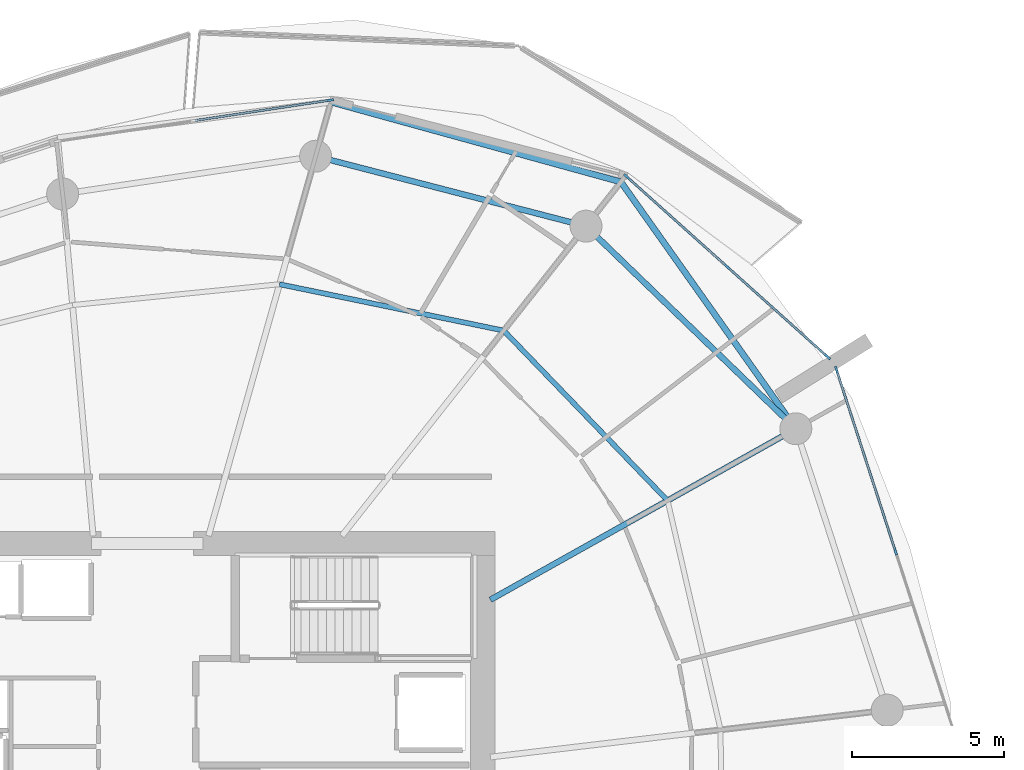
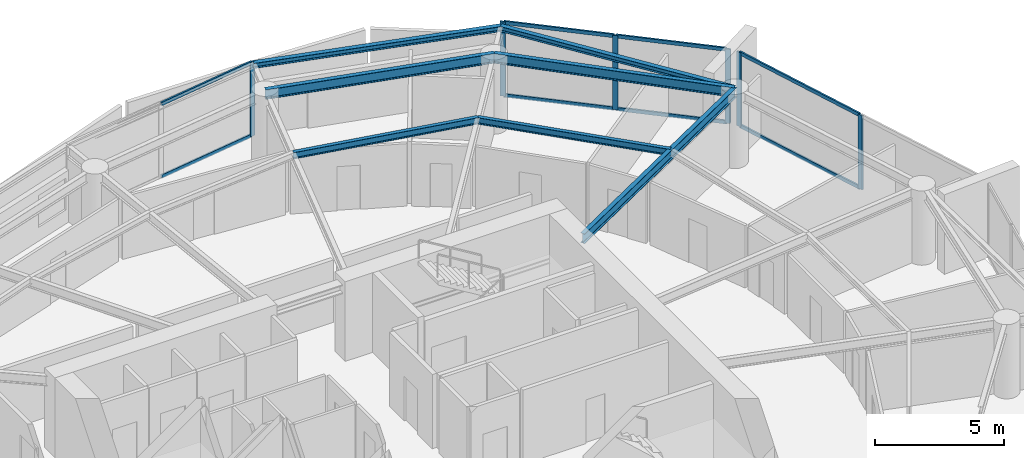
# One storey, part 9 of 20: 14 members, 7 beams, 3 elements without a shape of their own.
"""IFC4 building model written with IfcOpenShell, lengths in metres."""

from ifc_helpers import new_model, si_unit, direction, frame, origin, origin_2d, place, context, subcontext, project, spatial, rectangle, i_section, extrude, material, layer, layer_set, material_profile, profile_set, type_object, element, aggregate, save


model = new_model("IFC4")

# Units and contexts
model_context = context("Model", 3, precision=1e-05, world=origin(), true_north=direction((0.0, 1.0)))
body_context = subcontext(model_context, "Body", "Model", "MODEL_VIEW")
ifc_project = project(units=[si_unit("LENGTHUNIT", "METRE"), si_unit("AREAUNIT", "SQUARE_METRE"), si_unit("VOLUMEUNIT", "CUBIC_METRE"), si_unit("PLANEANGLEUNIT", "RADIAN"), si_unit("MASSUNIT", "GRAM", prefix="KILO")], contexts=[model_context])

# Site, building, storey
site_placement = place(None, origin())
site = spatial("IfcSite", under=ifc_project, at=site_placement, CompositionType="ELEMENT")
building_placement = place(site_placement, origin())
building = spatial("IfcBuilding", under=site, at=building_placement, Name="Kazma Halo Residences", CompositionType="ELEMENT")
storey_placement = place(building_placement, frame((0.0, 0.0, 131.550048828125)))
storey = spatial("IfcBuildingStorey", under=building, at=storey_placement, Name="L32", CompositionType="ELEMENT", Elevation=131.550048828125)

# Beams
ifc_material_1 = material(Name="Steel S355", Category="steel")
ifc_material_profile_1 = material_profile(ifc_material_1, i_section(OverallWidth=0.201904296875, OverallDepth=0.2470703125, WebThickness=0.00732421875, FlangeThickness=0.010986328125, FilletRadius=0.011962890625, at=origin_2d()), Name="W250x49.1")
ifc_profile_set_1 = profile_set([ifc_material_profile_1], Name="Steel S355")
beam_type_1 = type_object("IfcBeamType", Name="BM-BAL-CANT", PredefinedType="BEAM", material=ifc_profile_set_1)
beam_1_placement = place(storey_placement, frame((69.730224609375, 54.16943359375, 3.37646484375), z_axis=(-0.578203432081, 0.81589263456, 0.0), x_axis=(-0.81589263456, -0.578203432081, 0.0)))
element("IfcBeam", 1, at=beam_1_placement, inside=storey, type_object=beam_type_1, Name="L32 wave-balcony lead tie beam 01", PredefinedType="BEAM", context=body_context, shape_type="SweptSolid", body=[
    extrude(i_section(OverallWidth=0.201904296875, OverallDepth=0.2470703125, WebThickness=0.00732421875, FlangeThickness=0.010986328125, FilletRadius=0.011962890625, at=origin_2d()), origin(), (0.0, 0.0, 1.0), 9.9365234375),
])
beam_2_placement = place(storey_placement, frame((63.98486328125, 62.276611328125, 3.37646484375), z_axis=(-0.964045237638, 0.265738179019, 0.0), x_axis=(-0.265738179019, -0.964045237638, 0.0)))
element("IfcBeam", 2, at=beam_2_placement, inside=storey, type_object=beam_type_1, Name="L32 wave-balcony tie beam 02", PredefinedType="BEAM", context=body_context, shape_type="SweptSolid", body=[
    extrude(i_section(OverallWidth=0.201904296875, OverallDepth=0.2470703125, WebThickness=0.00732421875, FlangeThickness=0.010986328125, FilletRadius=0.011962890625, at=origin_2d()), origin(), (0.0, 0.0, 1.0), 9.880859375),
])
ifc_material_profile_2 = material_profile(ifc_material_1, i_section(OverallWidth=0.18994140625, OverallDepth=0.45703125, WebThickness=0.009033203125, FlangeThickness=0.014404296875, FilletRadius=0.01611328125, at=origin_2d()), Name="W460x74")
ifc_profile_set_2 = profile_set([ifc_material_profile_2], Name="Steel S355")
beam_type_2 = type_object("IfcBeamType", Name="BM-RAD-W460", PredefinedType="BEAM", material=ifc_profile_set_2)
beam_3_placement = place(storey_placement, frame((59.699951171875, 48.55224609375, 3.271484375), z_axis=(0.872497324456, 0.488618889132, 0.0), x_axis=(-0.488618889132, 0.872497324456, 0.0)))
element("IfcBeam", 3, at=beam_3_placement, inside=storey, type_object=beam_type_2, Name="L32 radial floor beam 01", PredefinedType="BEAM", context=body_context, shape_type="SweptSolid", body=[
    extrude(i_section(OverallWidth=0.18994140625, OverallDepth=0.45703125, WebThickness=0.009033203125, FlangeThickness=0.014404296875, FilletRadius=0.01611328125, at=origin_2d()), origin(), (0.0, 0.0, 1.0), 11.49609375),
])
ifc_material_profile_3 = material_profile(ifc_material_1, i_section(OverallWidth=0.1650390625, OverallDepth=0.31005859375, WebThickness=0.005859375, FlangeThickness=0.009765625, FilletRadius=0.011962890625, at=origin_2d()), Name="W310x38.7")
ifc_profile_set_3 = profile_set([ifc_material_profile_3], Name="Steel S355")
beam_type_3 = type_object("IfcBeamType", Name="BM-SEC-W310B", PredefinedType="JOIST", material=ifc_profile_set_3)
beam_4_placement = place(storey_placement, frame((65.517578125, 51.810302734375, 3.344970703125), z_axis=(-0.694049338985, 0.719927437354, 0.0), x_axis=(-0.719927437354, -0.694049338985, 0.0)))
element("IfcBeam", 4, at=beam_4_placement, inside=storey, type_object=beam_type_3, Name="L32 circumferential floor joist 01", PredefinedType="JOIST", context=body_context, shape_type="SweptSolid", body=[
    extrude(i_section(OverallWidth=0.1650390625, OverallDepth=0.31005859375, WebThickness=0.005859375, FlangeThickness=0.009765625, FilletRadius=0.011962890625, at=origin_2d()), origin(), (0.0, 0.0, 1.0), 7.7548828125),
])
beam_5_placement = place(storey_placement, frame((60.13525390625, 57.393310546875, 3.344970703125), z_axis=(-0.979272189631, 0.202548706773, 0.0), x_axis=(-0.202548706773, -0.979272189631, 0.0)))
element("IfcBeam", 5, at=beam_5_placement, inside=storey, type_object=beam_type_3, Name="L32 circumferential floor joist 02", PredefinedType="JOIST", context=body_context, shape_type="SweptSolid", body=[
    extrude(i_section(OverallWidth=0.1650390625, OverallDepth=0.31005859375, WebThickness=0.005859375, FlangeThickness=0.009765625, FilletRadius=0.011962890625, at=origin_2d()), origin(), (0.0, 0.0, 1.0), 7.52001953125),
])
ifc_material_profile_4 = material_profile(ifc_material_1, i_section(OverallWidth=0.18994140625, OverallDepth=0.45703125, WebThickness=0.009033203125, FlangeThickness=0.014404296875, FilletRadius=0.01611328125, at=origin_2d()), Name="W460x74")
ifc_profile_set_4 = profile_set([ifc_material_profile_4], Name="Steel S355")
beam_type_4 = type_object("IfcBeamType", Name="BM-SPN-W460", PredefinedType="BEAM", material=ifc_profile_set_4)
beam_6_placement = place(storey_placement, frame((69.730224609375, 54.16943359375, 3.271484375), z_axis=(-0.719334705845, 0.694663645923, 0.0), x_axis=(-0.694663645923, -0.719334705845, 0.0)))
element("IfcBeam", 6, at=beam_6_placement, inside=storey, type_object=beam_type_4, Name="L32 perimeter ring beam 01", PredefinedType="BEAM", context=body_context, shape_type="SweptSolid", body=[
    extrude(i_section(OverallWidth=0.18994140625, OverallDepth=0.45703125, WebThickness=0.009033203125, FlangeThickness=0.014404296875, FilletRadius=0.01611328125, at=origin_2d()), origin(), (0.0, 0.0, 1.0), 9.5791015625),
])
beam_7_placement = place(storey_placement, frame((62.839599609375, 60.82373046875, 3.271484375), z_axis=(-0.968123664213, 0.250472694699, 0.0), x_axis=(-0.250472694699, -0.968123664213, 0.0)))
element("IfcBeam", 7, at=beam_7_placement, inside=storey, type_object=beam_type_4, Name="L32 perimeter ring beam 02", PredefinedType="BEAM", context=body_context, shape_type="SweptSolid", body=[
    extrude(i_section(OverallWidth=0.18994140625, OverallDepth=0.45703125, WebThickness=0.009033203125, FlangeThickness=0.014404296875, FilletRadius=0.01611328125, at=origin_2d()), origin(), (0.0, 0.0, 1.0), 9.175048828125),
])

# Curtain wall, members
ifc_material_2 = material(Name="Aluminium AW-6063 T6 and Triple-Silver Low-E Glass", Category="aluminium")
ifc_layer = layer(ifc_material_2, 0.219970703125)
ifc_layer_set = layer_set([ifc_layer], Name="Aluminium AW-6063 T6 and Triple-Silver Low-E Glass")
curtain_wall_type = type_object("IfcCurtainWallType", Name="CW-SYS-4", PredefinedType="NOTDEFINED", material=ifc_layer_set)
curtain_wall_1_placement = place(storey_placement, origin())
curtain_wall_1 = element("IfcCurtainWall", 8, at=curtain_wall_1_placement, inside=storey, type_object=curtain_wall_type, Name="L32 unitised curtain wall B01", PredefinedType="NOTDEFINED")
ifc_material_3 = material(Name="Aluminium AW-6063 T6", Category="aluminium")
ifc_material_profile_5 = material_profile(ifc_material_3, rectangle(XDim=0.074951171875, YDim=0.219970703125, at=origin_2d()), Name="CWM-75x220")
ifc_profile_set_5 = profile_set([ifc_material_profile_5], Name="Aluminium AW-6063 T6")
member_type_1 = type_object("IfcMemberType", Name="CW-SYS-4-MUL", PredefinedType="MULLION", material=ifc_profile_set_5)
member_1_placement = place(storey_placement, frame((70.778564453125, 56.5263671875, 0.0), z_axis=(0.0, 0.0, 1.0), x_axis=(-0.667770096247, -0.744367582957, 0.0)))
member_1 = element("IfcMember", 9, at=member_1_placement, type_object=member_type_1, Name="CWS-4 mullion 1", PredefinedType="MULLION", context=body_context, shape_type="SweptSolid", body=[
    extrude(rectangle(XDim=0.074951171875, YDim=0.219970703125, at=origin_2d()), origin(), (0.0, 0.0, 1.0), 3.5),
])
member_2_placement = place(storey_placement, frame((67.47509765625, 59.48974609375, 0.0), z_axis=(0.0, 0.0, 1.0), x_axis=(-0.667770096247, -0.744367582957, 0.0)))
member_2 = element("IfcMember", 10, at=member_2_placement, type_object=member_type_1, Name="CWS-4 mullion 2", PredefinedType="MULLION", context=body_context, shape_type="SweptSolid", body=[
    extrude(rectangle(XDim=0.074951171875, YDim=0.219970703125, at=origin_2d()), origin(), (0.0, 0.0, 1.0), 3.5),
])
member_3_placement = place(storey_placement, frame((64.171630859375, 62.453369140625, 0.0), z_axis=(0.0, 0.0, 1.0), x_axis=(-0.667770096247, -0.744367582957, 0.0)))
member_3 = element("IfcMember", 11, at=member_3_placement, type_object=member_type_1, Name="CWS-4 mullion 3", PredefinedType="MULLION", context=body_context, shape_type="SweptSolid", body=[
    extrude(rectangle(XDim=0.074951171875, YDim=0.219970703125, at=origin_2d()), origin(), (0.0, 0.0, 1.0), 3.5),
])

# Curtain wall, member
curtain_wall_2_placement = place(storey_placement, origin())
curtain_wall_2 = element("IfcCurtainWall", 12, at=curtain_wall_2_placement, inside=storey, type_object=curtain_wall_type, Name="L32 unitised curtain wall B03", PredefinedType="NOTDEFINED")
member_4_placement = place(storey_placement, frame((54.440673828125, 64.962890625, 0.0), z_axis=(0.0, 0.0, 1.0), x_axis=(0.148821022686, -0.988864148004, 0.0)))
member_4 = element("IfcMember", 13, at=member_4_placement, type_object=member_type_1, Name="CWS-4 mullion 1", PredefinedType="MULLION", context=body_context, shape_type="SweptSolid", body=[
    extrude(rectangle(XDim=0.074951171875, YDim=0.219970703125, at=origin_2d()), origin(), (0.0, 0.0, 1.0), 3.5),
])

# Curtain wall, members
curtain_wall_3_placement = place(storey_placement, origin())
curtain_wall_3 = element("IfcCurtainWall", 14, at=curtain_wall_3_placement, inside=storey, type_object=curtain_wall_type, Name="L32 unitised curtain wall B16", PredefinedType="NOTDEFINED")
member_5_placement = place(storey_placement, frame((73.009033203125, 50.1259765625, 0.0), z_axis=(0.0, 0.0, 1.0), x_axis=(-0.951057547609, -0.3090138203, 0.0)))
member_5 = element("IfcMember", 15, at=member_5_placement, type_object=member_type_1, Name="CWS-4 mullion 2", PredefinedType="MULLION", context=body_context, shape_type="SweptSolid", body=[
    extrude(rectangle(XDim=0.074951171875, YDim=0.219970703125, at=origin_2d()), origin(), (0.0, 0.0, 1.0), 3.5),
])
member_6_placement = place(storey_placement, frame((71.062255859375, 56.117431640625, 0.0), z_axis=(0.0, 0.0, 1.0), x_axis=(-0.951057547609, -0.3090138203, 0.0)))
member_6 = element("IfcMember", 16, at=member_6_placement, type_object=member_type_1, Name="CWS-4 mullion 3", PredefinedType="MULLION", context=body_context, shape_type="SweptSolid", body=[
    extrude(rectangle(XDim=0.074951171875, YDim=0.219970703125, at=origin_2d()), origin(), (0.0, 0.0, 1.0), 3.5),
])

# Member
ifc_material_profile_6 = material_profile(ifc_material_3, rectangle(XDim=0.074951171875, YDim=0.1650390625, at=origin_2d()), Name="CWT-75x165")
ifc_profile_set_6 = profile_set([ifc_material_profile_6], Name="Aluminium AW-6063 T6")
member_type_2 = type_object("IfcMemberType", Name="CW-SYS-4-TRN", PredefinedType="USERDEFINED", material=ifc_profile_set_6)
member_7_placement = place(storey_placement, frame((70.75048828125, 56.55126953125, 0.037353515625), z_axis=(-0.744344978888, 0.66779529229, 0.0), x_axis=(-0.66779529229, -0.744344978888, 0.0)))
member_7 = element("IfcMember", 17, at=member_7_placement, type_object=member_type_2, Name="CWS-4 transom 1.1", ObjectType="TRANSOM", PredefinedType="USERDEFINED", context=body_context, shape_type="SweptSolid", body=[
    extrude(rectangle(XDim=0.074951171875, YDim=0.1650390625, at=origin_2d()), origin(), (0.0, 0.0, 1.0), 4.363037109375),
])

member_8_placement = place(storey_placement, frame((70.75048828125, 56.55126953125, 3.46240234375), z_axis=(-0.744344978888, 0.66779529229, 0.0), x_axis=(-0.66779529229, -0.744344978888, 0.0)))
member_8 = element("IfcMember", 18, at=member_8_placement, type_object=member_type_2, Name="CWS-4 transom 1.2", ObjectType="TRANSOM", PredefinedType="USERDEFINED", context=body_context, shape_type="SweptSolid", body=[
    extrude(rectangle(XDim=0.074951171875, YDim=0.1650390625, at=origin_2d()), origin(), (0.0, 0.0, 1.0), 4.363037109375),
])

member_9_placement = place(storey_placement, frame((67.447265625, 59.514892578125, 0.037353515625), z_axis=(-0.744372794017, 0.667764287401, 0.0), x_axis=(-0.667764287401, -0.744372794017, 0.0)))
member_9 = element("IfcMember", 19, at=member_9_placement, type_object=member_type_2, Name="CWS-4 transom 2.1", ObjectType="TRANSOM", PredefinedType="USERDEFINED", context=body_context, shape_type="SweptSolid", body=[
    extrude(rectangle(XDim=0.074951171875, YDim=0.1650390625, at=origin_2d()), origin(), (0.0, 0.0, 1.0), 4.36279296875),
])

member_10_placement = place(storey_placement, frame((67.447265625, 59.514892578125, 3.46240234375), z_axis=(-0.744372794017, 0.667764287401, 0.0), x_axis=(-0.667764287401, -0.744372794017, 0.0)))
member_10 = element("IfcMember", 20, at=member_10_placement, type_object=member_type_2, Name="CWS-4 transom 2.2", ObjectType="TRANSOM", PredefinedType="USERDEFINED", context=body_context, shape_type="SweptSolid", body=[
    extrude(rectangle(XDim=0.074951171875, YDim=0.1650390625, at=origin_2d()), origin(), (0.0, 0.0, 1.0), 4.36279296875),
])

aggregate(curtain_wall_1, [member_1, member_2, member_3, member_7, member_8, member_9, member_10])

member_11_placement = place(storey_placement, frame((54.403564453125, 64.957275390625, 0.037353515625), z_axis=(-0.988866721231, -0.148803923478, 0.0), x_axis=(0.148803923478, -0.988866721231, 0.0)))
member_11 = element("IfcMember", 21, at=member_11_placement, type_object=member_type_2, Name="CWS-4 transom 1.1", ObjectType="TRANSOM", PredefinedType="USERDEFINED", context=body_context, shape_type="SweptSolid", body=[
    extrude(rectangle(XDim=0.074951171875, YDim=0.1650390625, at=origin_2d()), origin(), (0.0, 0.0, 1.0), 4.4560546875),
])

member_12_placement = place(storey_placement, frame((54.403564453125, 64.957275390625, 3.46240234375), z_axis=(-0.988866721231, -0.148803923478, 0.0), x_axis=(0.148803923478, -0.988866721231, 0.0)))
member_12 = element("IfcMember", 22, at=member_12_placement, type_object=member_type_2, Name="CWS-4 transom 1.2", ObjectType="TRANSOM", PredefinedType="USERDEFINED", context=body_context, shape_type="SweptSolid", body=[
    extrude(rectangle(XDim=0.074951171875, YDim=0.1650390625, at=origin_2d()), origin(), (0.0, 0.0, 1.0), 4.4560546875),
])

aggregate(curtain_wall_2, [member_4, member_11, member_12])

member_13_placement = place(storey_placement, frame((72.99755859375, 50.16162109375, 0.037353515625), z_axis=(-0.309017784977, 0.951056259413, 0.0), x_axis=(-0.951056259413, -0.309017784977, 0.0)))
member_13 = element("IfcMember", 23, at=member_13_placement, type_object=member_type_2, Name="CWS-4 transom 2.1", ObjectType="TRANSOM", PredefinedType="USERDEFINED", context=body_context, shape_type="SweptSolid", body=[
    extrude(rectangle(XDim=0.074951171875, YDim=0.1650390625, at=origin_2d()), origin(), (0.0, 0.0, 1.0), 6.224853515625),
])

member_14_placement = place(storey_placement, frame((72.99755859375, 50.16162109375, 3.46240234375), z_axis=(-0.309017784977, 0.951056259413, 0.0), x_axis=(-0.951056259413, -0.309017784977, 0.0)))
member_14 = element("IfcMember", 24, at=member_14_placement, type_object=member_type_2, Name="CWS-4 transom 2.2", ObjectType="TRANSOM", PredefinedType="USERDEFINED", context=body_context, shape_type="SweptSolid", body=[
    extrude(rectangle(XDim=0.074951171875, YDim=0.1650390625, at=origin_2d()), origin(), (0.0, 0.0, 1.0), 6.224853515625),
])

aggregate(curtain_wall_3, [member_5, member_6, member_13, member_14])

save(model, "model.ifc")
